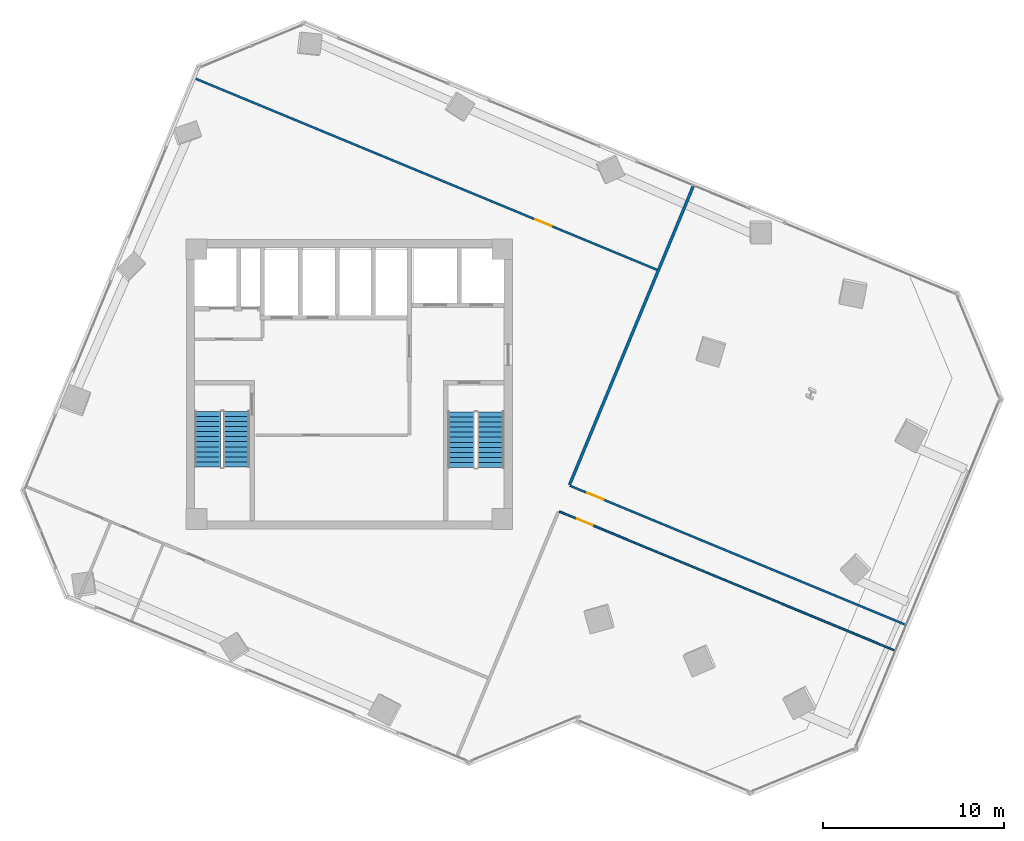
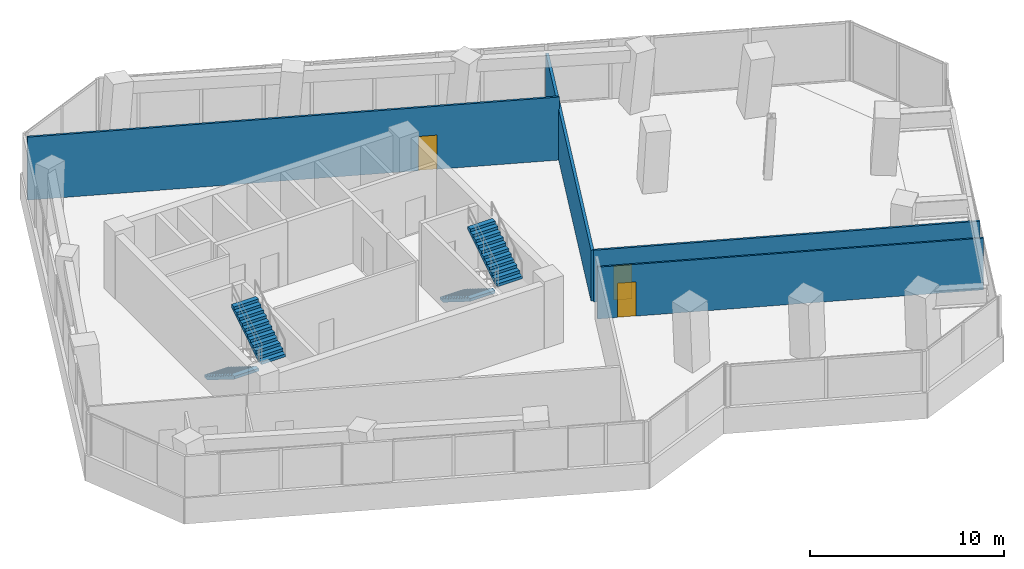
# One storey, part 19 of 23: 4 stair flights, 4 walls, 3 doors, 3 openings, 2 elements without a shape of their own.
"""IFC4 building model written with IfcOpenShell, lengths in metres."""

import ifcopenshell
import ifcopenshell.guid

model = None  # the IFC model being written
_history = None  # IfcOwnerHistory: only IFC2X3 demands one
_inside = {}  # id of a spatial element -> (the spatial element, [elements in it])
_under = {}  # id of a project, library or spatial element -> (it, [spatial elements below it])
_declared = {}  # id of a project -> (the project, [libraries it declares])
_typed = {}  # id of a type object -> (the type object, [elements of that type])
_made_of = {}  # id of a material, layer set ... -> (it, [elements and type objects made of it])


def new_model(schema):
    """Start an empty IFC model of exactly this schema.

    Asked for "IFC4X3", IfcOpenShell would pick the latest addendum, in which some entities
    have other attributes; the version numbers below select the first issue.
    IFC2X3 requires an IfcOwnerHistory on every rooted entity: one is made here for all.
    """
    global model, _history
    if schema == "IFC4X3":
        model = ifcopenshell.file(schema_version=(4, 3, 0, 0))
    else:
        model = ifcopenshell.file(schema=schema)
    _inside.clear()
    _under.clear()
    _declared.clear()
    _typed.clear()
    _made_of.clear()
    _history = None
    if model.schema == "IFC2X3":
        org = make("IfcOrganization", Name="unknown")
        user = make(
            "IfcPersonAndOrganization",
            ThePerson=make("IfcPerson", FamilyName="unknown"),
            TheOrganization=org,
        )
        app = make(
            "IfcApplication",
            ApplicationDeveloper=org,
            Version="unknown",
            ApplicationFullName="unknown",
            ApplicationIdentifier="unknown",
        )
        _history = make(
            "IfcOwnerHistory",
            OwningUser=user,
            OwningApplication=app,
            ChangeAction="ADDED",
            CreationDate=0,
        )
    return model


def make(cls, **values):
    """One entity of the class cls with the attributes given. An attribute that is None is left unset."""
    return model.create_entity(
        cls, **{name: value for name, value in values.items() if value is not None}
    )


def rooted(cls, **values):
    """An entity with a GlobalId (a new one), such as an element, a storey or a relation."""
    return make(cls, GlobalId=ifcopenshell.guid.new(), OwnerHistory=_history, **values)


def si_unit(unit_type, name, prefix=None):
    """IfcSIUnit, for example si_unit("LENGTHUNIT", "METRE", prefix="MILLI")."""
    return make("IfcSIUnit", UnitType=unit_type, Prefix=prefix, Name=name)


def assignment(units):
    """IfcUnitAssignment: the units of a project."""
    return None if units is None else make("IfcUnitAssignment", Units=units)


def point(xyz):
    """IfcCartesianPoint."""
    return None if xyz is None else make("IfcCartesianPoint", Coordinates=xyz)


def direction(xyz):
    """IfcDirection."""
    return None if xyz is None else make("IfcDirection", DirectionRatios=xyz)


def frame(location, z_axis=None, x_axis=None):
    """IfcAxis2Placement3D, a coordinate frame: its origin and axes. An axis left out is left unset."""
    return make(
        "IfcAxis2Placement3D",
        Location=point(location),
        Axis=direction(z_axis),
        RefDirection=direction(x_axis),
    )


def frame_2d(location, x_axis=None):
    """IfcAxis2Placement2D, a coordinate frame in the plane: its origin and x axis."""
    return make(
        "IfcAxis2Placement2D", Location=point(location), RefDirection=direction(x_axis)
    )


def origin():
    """The frame at (0, 0, 0) with its axes left unset."""
    return frame((0.0, 0.0, 0.0))


def place(relative_to, where):
    """IfcLocalPlacement: puts the frame where relative to a parent placement (None: the world)."""
    return make(
        "IfcLocalPlacement", PlacementRelTo=relative_to, RelativePlacement=where
    )


def context(
    kind, dimensions, precision=None, world=None, true_north=None, identifier=None
):
    """IfcGeometricRepresentationContext, for example the 3D "Model" context."""
    return make(
        "IfcGeometricRepresentationContext",
        ContextIdentifier=identifier,
        ContextType=kind,
        CoordinateSpaceDimension=dimensions,
        Precision=precision,
        WorldCoordinateSystem=world,
        TrueNorth=true_north,
    )


def subcontext(parent, identifier, kind, view, scale=None):
    """IfcGeometricRepresentationSubContext, for example "Body" below "Model"."""
    return make(
        "IfcGeometricRepresentationSubContext",
        ContextIdentifier=identifier,
        ContextType=kind,
        ParentContext=parent,
        TargetScale=scale,
        TargetView=view,
    )


def project(units=None, contexts=None):
    """IfcProject with its units and contexts."""
    return rooted(
        "IfcProject",
        Name="project",
        RepresentationContexts=contexts,
        UnitsInContext=assignment(units),
    )


def spatial(cls, under=None, at=None, **own):
    """A site, building, storey or space (cls), placed at a placement, below another one or the project."""
    s = rooted(cls, ObjectPlacement=at, **own)
    if under is not None:
        _under.setdefault(under.id(), (under, []))[1].append(s)
    return s


def polyline(points):
    """IfcPolyline through the points."""
    return make("IfcPolyline", Points=[point(p) for p in points])


def profile(cls, at=None, kind="AREA", **sizes):
    """A parametric profile (cls). Its sizes go by their IFC names, for example OverallWidth=200.0."""
    return make(cls, ProfileType=kind, Position=at, **sizes)


def rectangle(**sizes):
    """IfcRectangleProfileDef."""
    return profile("IfcRectangleProfileDef", **sizes)


def outline(outer, holes=None, kind="AREA"):
    """IfcArbitraryClosedProfileDef: a profile drawn as a closed curve; with holes, ...WithVoids."""
    if holes is None:
        return make("IfcArbitraryClosedProfileDef", ProfileType=kind, OuterCurve=outer)
    return make(
        "IfcArbitraryProfileDefWithVoids",
        ProfileType=kind,
        OuterCurve=outer,
        InnerCurves=holes,
    )


def extrude(swept, where, along, depth):
    """IfcExtrudedAreaSolid: the profile swept, set in the frame where, extruded along a direction by depth."""
    return make(
        "IfcExtrudedAreaSolid",
        SweptArea=swept,
        Position=where,
        ExtrudedDirection=direction(along),
        Depth=depth,
    )


def shape(context_of_items, identifier, shape_type, items):
    """IfcShapeRepresentation: the items that make up one representation, for example the "Body"."""
    return make(
        "IfcShapeRepresentation",
        ContextOfItems=context_of_items,
        RepresentationIdentifier=identifier,
        RepresentationType=shape_type,
        Items=items,
    )


def source(mapping_origin, context_of_items, identifier, shape_type, items):
    """IfcRepresentationMap: a shape defined once, which mapped items show again and again."""
    return make(
        "IfcRepresentationMap",
        MappingOrigin=mapping_origin,
        MappedRepresentation=shape(context_of_items, identifier, shape_type, items),
    )


def transform(
    local_origin,
    x_axis=None,
    y_axis=None,
    z_axis=None,
    scale=None,
    scale2=None,
    scale3=None,
    uniform=True,
):
    """IfcCartesianTransformationOperator3D, or its non-uniform kind. x_axis, y_axis, z_axis: its Axis1, 2, 3."""
    if uniform:
        return make(
            "IfcCartesianTransformationOperator3D",
            Axis1=direction(x_axis),
            Axis2=direction(y_axis),
            LocalOrigin=point(local_origin),
            Scale=scale,
            Axis3=direction(z_axis),
        )
    return make(
        "IfcCartesianTransformationOperator3DnonUniform",
        Axis1=direction(x_axis),
        Axis2=direction(y_axis),
        LocalOrigin=point(local_origin),
        Scale=scale,
        Axis3=direction(z_axis),
        Scale2=scale2,
        Scale3=scale3,
    )


def mapped(mapping_source, mapping_target):
    """IfcMappedItem: shows the shape of a source again, moved by a transform."""
    return make(
        "IfcMappedItem", MappingSource=mapping_source, MappingTarget=mapping_target
    )


def material(Name=None, Category=None):
    """IfcMaterial."""
    return make("IfcMaterial", Name=Name, Category=Category)


def layer(
    of_material, thickness, ventilated=None, Name=None, Category=None, Priority=None
):
    """IfcMaterialLayer: one layer of a wall or slab, of a material (None: an air gap)."""
    return make(
        "IfcMaterialLayer",
        Material=of_material,
        LayerThickness=thickness,
        IsVentilated=ventilated,
        Name=Name,
        Category=Category,
        Priority=Priority,
    )


def layer_set(layers, Name=None):
    """IfcMaterialLayerSet."""
    return make("IfcMaterialLayerSet", MaterialLayers=layers, LayerSetName=Name)


def made_of(thing, what):
    """Note that an element or type object is made of a material, layer set ...; save() writes the relation."""
    if what is not None:
        _made_of.setdefault(what.id(), (what, []))[1].append(thing)
    return thing


def type_object(cls, material=None, **own):
    """A type object (cls), such as IfcWallType, which elements share."""
    return made_of(rooted(cls, **own), material)


def element(
    cls,
    number,
    at=None,
    inside=None,
    cuts=None,
    type_object=None,
    material=None,
    context=None,
    identifier="Body",
    shape_type=None,
    held_by="IfcProductDefinitionShape",
    body=None,
    shapes=None,
    **own,
):
    """One element of the class cls, such as IfcWall. Its Tag is "e" and its number.

    at: its placement. inside: the storey or other place that contains it. cuts: it is an
    opening in that element (IfcRelVoidsElement). A single representation is given by context,
    identifier, shape_type and body (its items); several are given by shapes. held_by: the class
    of the entity that holds the representations. save() writes the other relations.
    """
    e = rooted(cls, Tag="e%d" % number, ObjectPlacement=at, **own)
    if body is not None:
        shapes = [shape(context, identifier, shape_type, body)]
    if shapes is not None:
        e.Representation = make(held_by, Representations=shapes)
    if inside is not None:
        _inside.setdefault(inside.id(), (inside, []))[1].append(e)
    if cuts is not None:
        rooted(
            "IfcRelVoidsElement", RelatingBuildingElement=cuts, RelatedOpeningElement=e
        )
    if type_object is not None:
        _typed.setdefault(type_object.id(), (type_object, []))[1].append(e)
    return made_of(e, material)


def fill(opening, filler):
    """IfcRelFillsElement: the door or window that sits in an opening."""
    return rooted(
        "IfcRelFillsElement",
        RelatingOpeningElement=opening,
        RelatedBuildingElement=filler,
    )


def aggregate(whole, parts):
    """IfcRelAggregates: a whole, such as a stair, and the parts it consists of."""
    return rooted("IfcRelAggregates", RelatingObject=whole, RelatedObjects=parts)


def save(model, path):
    """Write the relations noted so far, then the file.

    IfcRelAggregates (storeys below a building ...), IfcRelContainedInSpatialStructure (elements
    in a storey), IfcRelDefinesByType, IfcRelAssociatesMaterial and IfcRelDeclares: one each for
    every whole, place, type object, material and project.
    """
    for whole, parts in _under.values():
        aggregate(whole, parts)
    for where, things in _inside.values():
        rooted(
            "IfcRelContainedInSpatialStructure",
            RelatedElements=things,
            RelatingStructure=where,
        )
    for kind, things in _typed.values():
        rooted("IfcRelDefinesByType", RelatedObjects=things, RelatingType=kind)
    for what, things in _made_of.values():
        rooted("IfcRelAssociatesMaterial", RelatedObjects=things, RelatingMaterial=what)
    for by, libraries in _declared.values():
        rooted("IfcRelDeclares", RelatingContext=by, RelatedDefinitions=libraries)
    model.write(path)


model = new_model("IFC4")

# Units and contexts
model_context = context("Model", 3, precision=1e-05, world=origin(), true_north=direction((0.0, 1.0)))
body_context = subcontext(model_context, "Body", "Model", "MODEL_VIEW")
ifc_project = project(units=[si_unit("LENGTHUNIT", "METRE"), si_unit("AREAUNIT", "SQUARE_METRE"), si_unit("VOLUMEUNIT", "CUBIC_METRE"), si_unit("PLANEANGLEUNIT", "RADIAN"), si_unit("MASSUNIT", "GRAM", prefix="KILO")], contexts=[model_context])

# Site, building, storey
site_placement = place(None, origin())
site = spatial("IfcSite", under=ifc_project, at=site_placement, CompositionType="ELEMENT")
building_placement = place(site_placement, origin())
building = spatial("IfcBuilding", under=site, at=building_placement, Name="Torre Montelarca", CompositionType="ELEMENT")
storey_placement = place(building_placement, frame((0.0, 0.0, 145.60009765625)))
storey = spatial("IfcBuildingStorey", under=building, at=storey_placement, Name="L32", CompositionType="ELEMENT", Elevation=145.60009765625)

# Wall
ifc_material_1 = material(Name="Gypsum plasterboard on steel stud", Category="steel")
ifc_layer_1 = layer(ifc_material_1, 0.159912109375, Name="Gypsum plasterboard on steel stud", Category="steel")
ifc_layer_set_1 = layer_set([ifc_layer_1], Name="Gypsum plasterboard on steel stud")
wall_type_1 = type_object("IfcWallType", Name="PW-FIRE-160", PredefinedType="PARTITIONING", material=ifc_layer_set_1)
wall_1_placement = place(storey_placement, frame((30.162353515625, 26.44189453125, 0.0), z_axis=(0.0, 0.0, 1.0), x_axis=(0.382688600046, 0.923877391971, 0.0)))
element("IfcWall", 1, at=wall_1_placement, inside=storey, type_object=wall_type_1, Name="L32 Interior Partition W-L32-ECN", PredefinedType="PARTITIONING", context=body_context, shape_type="SweptSolid", body=[
    extrude(rectangle(XDim=17.83984375, YDim=0.159912109375, at=frame_2d((8.919921875, 0.0))), origin(), (0.0, 0.0, 1.0), 3.19482421875),
])

# Wall, opening, door
ifc_material_2 = material(Name="Acoustic laminated glass partition", Category="glass")
ifc_layer_2 = layer(ifc_material_2, 0.10009765625, Name="Acoustic laminated glass partition", Category="glass")
ifc_layer_set_2 = layer_set([ifc_layer_2], Name="Acoustic laminated glass partition")
wall_type_2 = type_object("IfcWallType", Name="PW-GLAZ-100", PredefinedType="PARTITIONING", material=ifc_layer_set_2)
wall_2_placement = place(storey_placement, frame((29.5947265625, 24.966796875, 0.0), z_axis=(0.0, 0.0, 1.0), x_axis=(0.923882225843, -0.382676930022, 0.0)))
wall_2 = element("IfcWall", 2, at=wall_2_placement, inside=storey, type_object=wall_type_2, Name="L32 Interior Partition W-L32-SE-N", PredefinedType="PARTITIONING", context=body_context, shape_type="SweptSolid", body=[
    extrude(rectangle(XDim=20.0498046875, YDim=0.10009765625, at=frame_2d((10.02490234375, 0.0))), origin(), (0.0, 0.0, 1.0), 3.25244140625),
])
opening_1_placement = place(wall_2_placement, frame((1.050048828125, 0.0, 0.0)))
opening_1 = element("IfcOpeningElement", 3, at=opening_1_placement, cuts=wall_2, Name="Opening ID-095", PredefinedType="OPENING", context=body_context, shape_type="SweptSolid", body=[
    extrude(rectangle(XDim=0.949951171875, YDim=2.14990234375, at=frame_2d((0.47509765625, 1.074951171875))), frame((0.0, 0.06005859375, 0.0), z_axis=(0.0, -1.0, 0.0), x_axis=(1.0, 0.0, 0.0)), (0.0, 0.0, 1.0), 0.1201171875),
])
ifc_material_3 = material(Name="Hardwood acoustic timber veneer", Category="wood")
door_type = type_object("IfcDoorType", Name="DR-INT-095", OperationType="NOTDEFINED", PredefinedType="DOOR", material=ifc_material_3)
shared_shape = source(origin(), body_context, "Body", "SweptSolid", [
    extrude(rectangle(XDim=0.949951171875, YDim=2.14990234375, at=frame_2d((0.47509765625, 1.074951171875))), frame((0.0, 0.02490234375, 0.0), z_axis=(0.0, -1.0, 0.0), x_axis=(1.0, 0.0, 0.0)), (0.0, 0.0, 1.0), 0.050048828125),
])
door_1_placement = place(opening_1_placement, origin())
door_1 = element("IfcDoor", 4, at=door_1_placement, inside=storey, type_object=door_type, Name="L32 Interior Door 08", OperationType="SINGLE_SWING_LEFT", OverallHeight=2.14990234375, OverallWidth=0.949951171875, PredefinedType="DOOR", context=body_context, shape_type="MappedRepresentation", body=[
    mapped(shared_shape, transform((0.0, 0.0, 0.0), scale=1.0)),
])
fill(opening_1, door_1)

ifc_layer_3 = layer(ifc_material_1, 0.114990234375, Name="Gypsum plasterboard on steel stud", Category="steel")
ifc_layer_set_3 = layer_set([ifc_layer_3], Name="Gypsum plasterboard on steel stud")
wall_type_3 = type_object("IfcWallType", Name="PW-PART-115", PredefinedType="PARTITIONING", material=ifc_layer_set_3)
wall_3_placement = place(storey_placement, frame((9.523193359375, 48.8671875, 0.0), z_axis=(0.0, 0.0, 1.0), x_axis=(0.923882225555, -0.382676930718, 0.0)))
wall_3 = element("IfcWall", 5, at=wall_3_placement, inside=storey, type_object=wall_type_3, Name="L32 Interior Partition W-L32-NBOT", PredefinedType="PARTITIONING", context=body_context, shape_type="SweptSolid", body=[
    extrude(rectangle(XDim=27.60986328125, YDim=0.114990234375, at=frame_2d((13.804931640625, 0.0))), origin(), (0.0, 0.0, 1.0), 3.9599609375),
])
opening_2_placement = place(wall_3_placement, frame((20.31005859375, 0.0, 0.0)))
opening_2 = element("IfcOpeningElement", 6, at=opening_2_placement, cuts=wall_3, Name="Opening ID-095", PredefinedType="OPENING", context=body_context, shape_type="SweptSolid", body=[
    extrude(rectangle(XDim=0.949951171875, YDim=2.14990234375, at=frame_2d((0.47509765625, 1.074951171875))), frame((0.0, 0.0673828125, 0.0), z_axis=(0.0, -1.0, 0.0), x_axis=(1.0, 0.0, 0.0)), (0.0, 0.0, 1.0), 0.135009765625),
])
door_2_placement = place(opening_2_placement, origin())
door_2 = element("IfcDoor", 7, at=door_2_placement, inside=storey, type_object=door_type, Name="L32 Interior Door 06", OperationType="SINGLE_SWING_LEFT", OverallHeight=2.14990234375, OverallWidth=0.949951171875, PredefinedType="DOOR", context=body_context, shape_type="MappedRepresentation", body=[
    mapped(shared_shape, transform((0.0, 0.0, 0.0), scale=1.0)),
])
fill(opening_2, door_2)

wall_4_placement = place(storey_placement, frame((30.18408203125, 26.3896484375, 0.0), z_axis=(0.0, 0.0, 1.0), x_axis=(0.923877920754, -0.382687323468, 0.0)))
wall_4 = element("IfcWall", 8, at=wall_4_placement, inside=storey, type_object=wall_type_3, Name="L32 Interior Partition W-L32-NE-S", PredefinedType="PARTITIONING", context=body_context, shape_type="SweptSolid", body=[
    extrude(rectangle(XDim=20.0498046875, YDim=0.114990234375, at=frame_2d((10.02490234375, 0.0))), origin(), (0.0, 0.0, 1.0), 3.25244140625),
])
opening_3_placement = place(wall_4_placement, frame((1.050048828125, 0.0, 0.0)))
opening_3 = element("IfcOpeningElement", 9, at=opening_3_placement, cuts=wall_4, Name="Opening ID-095", PredefinedType="OPENING", context=body_context, shape_type="SweptSolid", body=[
    extrude(rectangle(XDim=0.949951171875, YDim=2.14990234375, at=frame_2d((0.47509765625, 1.074951171875))), frame((0.0, 0.0673828125, 0.0), z_axis=(0.0, -1.0, 0.0), x_axis=(1.0, 0.0, 0.0)), (0.0, 0.0, 1.0), 0.135009765625),
])
door_3_placement = place(opening_3_placement, origin())
door_3 = element("IfcDoor", 10, at=door_3_placement, inside=storey, type_object=door_type, Name="L32 Interior Door 07", OperationType="SINGLE_SWING_LEFT", OverallHeight=2.14990234375, OverallWidth=0.949951171875, PredefinedType="DOOR", context=body_context, shape_type="MappedRepresentation", body=[
    mapped(shared_shape, transform((0.0, 0.0, 0.0), scale=1.0)),
])
fill(opening_3, door_3)

# Stair, stair flights
ifc_material_4 = material(Name="Concrete C40/50", Category="concrete")
stair_type_1 = type_object("IfcStairType", Name="ST-CORE-ST1", PredefinedType="HALF_TURN_STAIR", material=ifc_material_4)
stair_1_placement = place(storey_placement, origin())
stair_1 = element("IfcStair", 11, at=stair_1_placement, inside=storey, type_object=stair_type_1, Name="L32 Protected Exit Stair ST1", PredefinedType="HALF_TURN_STAIR")
stair_flight_type_1 = type_object("IfcStairFlightType", Name="SFL-CORE-ST1", PredefinedType="STRAIGHT", material=ifc_material_4)
stair_flight_1_placement = place(storey_placement, frame((10.175048828125, 30.5, 0.0), z_axis=(0.0, 0.0, 1.0), x_axis=(0.0, -1.0, 0.0)))
stair_flight_1 = element("IfcStairFlight", 12, at=stair_flight_1_placement, type_object=stair_flight_type_1, Name="ST1 flight 1", NumberOfRisers=12, NumberOfTreads=11, PredefinedType="STRAIGHT", RiserHeight=0.175, TreadLength=0.28, context=body_context, shape_type="SweptSolid", body=[
    extrude(outline(polyline([(0.0, 0.0), (0.0, 0.175048828125), (0.280029296875, 0.175048828125), (0.280029296875, 0.35009765625), (0.56005859375, 0.35009765625), (0.56005859375, 0.52490234375), (0.840087890625, 0.52490234375), (0.840087890625, 0.699951171875), (1.1201171875, 0.699951171875), (1.1201171875, 0.875), (1.39990234375, 0.875), (1.39990234375, 1.050048828125), (1.679931640625, 1.050048828125), (1.679931640625, 1.22509765625), (1.9599609375, 1.22509765625), (1.9599609375, 1.39990234375), (2.239990234375, 1.39990234375), (2.239990234375, 1.574951171875), (2.52001953125, 1.574951171875), (2.52001953125, 1.75), (2.800048828125, 1.75), (2.800048828125, 1.925048828125), (3.080078125, 1.925048828125), (3.080078125, 2.10009765625), (3.080078125, 1.748291015625), (0.28271484375, 0.0), (0.0, 0.0)])), frame((0.0, 0.72509765625, 0.0), z_axis=(0.0, -1.0, 0.0), x_axis=(1.0, 0.0, 0.0)), (0.0, 0.0, 1.0), 1.449951171875),
])
stair_flight_2_placement = place(storey_placement, frame((11.77490234375, 27.419921875, 2.099853515625), z_axis=(0.0, 0.0, 1.0), x_axis=(0.0, 1.0, 0.0)))
stair_flight_2 = element("IfcStairFlight", 13, at=stair_flight_2_placement, type_object=stair_flight_type_1, Name="ST1 flight 2", NumberOfRisers=12, NumberOfTreads=11, PredefinedType="STRAIGHT", RiserHeight=0.175, TreadLength=0.28, context=body_context, shape_type="SweptSolid", body=[
    extrude(outline(polyline([(0.0, 0.0), (0.0, 0.175048828125), (0.280029296875, 0.175048828125), (0.280029296875, 0.35009765625), (0.56005859375, 0.35009765625), (0.56005859375, 0.52490234375), (0.840087890625, 0.52490234375), (0.840087890625, 0.699951171875), (1.1201171875, 0.699951171875), (1.1201171875, 0.875), (1.39990234375, 0.875), (1.39990234375, 1.050048828125), (1.679931640625, 1.050048828125), (1.679931640625, 1.22509765625), (1.9599609375, 1.22509765625), (1.9599609375, 1.39990234375), (2.239990234375, 1.39990234375), (2.239990234375, 1.574951171875), (2.52001953125, 1.574951171875), (2.52001953125, 1.75), (2.800048828125, 1.75), (2.800048828125, 1.925048828125), (3.080078125, 1.925048828125), (3.080078125, 2.10009765625), (3.080078125, 1.748291015625), (0.28271484375, 0.0), (0.0, 0.0)])), frame((0.0, 0.72509765625, 0.0), z_axis=(0.0, -1.0, 0.0), x_axis=(1.0, 0.0, 0.0)), (0.0, 0.0, 1.0), 1.449951171875),
])
aggregate(stair_1, [stair_flight_1, stair_flight_2])

stair_type_2 = type_object("IfcStairType", Name="ST-CORE-ST2", PredefinedType="HALF_TURN_STAIR", material=ifc_material_4)
stair_2_placement = place(storey_placement, origin())
stair_2 = element("IfcStair", 14, at=stair_2_placement, inside=storey, type_object=stair_type_2, Name="L32 Protected Exit Stair ST2", PredefinedType="HALF_TURN_STAIR")
stair_flight_type_2 = type_object("IfcStairFlightType", Name="SFL-CORE-ST2", PredefinedType="STRAIGHT", material=ifc_material_4)
stair_flight_3_placement = place(storey_placement, frame((24.179931640625, 30.469970703125, 0.0), z_axis=(0.0, 0.0, 1.0), x_axis=(0.0, -1.0, 0.0)))
stair_flight_3 = element("IfcStairFlight", 15, at=stair_flight_3_placement, type_object=stair_flight_type_2, Name="ST2 flight 1", NumberOfRisers=12, NumberOfTreads=11, PredefinedType="STRAIGHT", RiserHeight=0.175, TreadLength=0.28, context=body_context, shape_type="SweptSolid", body=[
    extrude(outline(polyline([(0.0, 0.0), (0.0, 0.175048828125), (0.280029296875, 0.175048828125), (0.280029296875, 0.35009765625), (0.56005859375, 0.35009765625), (0.56005859375, 0.52490234375), (0.840087890625, 0.52490234375), (0.840087890625, 0.699951171875), (1.1201171875, 0.699951171875), (1.1201171875, 0.875), (1.39990234375, 0.875), (1.39990234375, 1.050048828125), (1.679931640625, 1.050048828125), (1.679931640625, 1.22509765625), (1.9599609375, 1.22509765625), (1.9599609375, 1.39990234375), (2.239990234375, 1.39990234375), (2.239990234375, 1.574951171875), (2.52001953125, 1.574951171875), (2.52001953125, 1.75), (2.800048828125, 1.75), (2.800048828125, 1.925048828125), (3.080078125, 1.925048828125), (3.080078125, 2.10009765625), (3.080078125, 1.748291015625), (0.28271484375, 0.0), (0.0, 0.0)])), frame((0.0, 0.739990234375, 0.0), z_axis=(0.0, -1.0, 0.0), x_axis=(1.0, 0.0, 0.0)), (0.0, 0.0, 1.0), 1.47998046875),
])
stair_flight_4_placement = place(storey_placement, frame((25.81005859375, 27.389892578125, 2.099853515625), z_axis=(0.0, 0.0, 1.0), x_axis=(0.0, 1.0, 0.0)))
stair_flight_4 = element("IfcStairFlight", 16, at=stair_flight_4_placement, type_object=stair_flight_type_2, Name="ST2 flight 2", NumberOfRisers=12, NumberOfTreads=11, PredefinedType="STRAIGHT", RiserHeight=0.175, TreadLength=0.28, context=body_context, shape_type="SweptSolid", body=[
    extrude(outline(polyline([(0.0, 0.0), (0.0, 0.175048828125), (0.280029296875, 0.175048828125), (0.280029296875, 0.35009765625), (0.56005859375, 0.35009765625), (0.56005859375, 0.52490234375), (0.840087890625, 0.52490234375), (0.840087890625, 0.699951171875), (1.1201171875, 0.699951171875), (1.1201171875, 0.875), (1.39990234375, 0.875), (1.39990234375, 1.050048828125), (1.679931640625, 1.050048828125), (1.679931640625, 1.22509765625), (1.9599609375, 1.22509765625), (1.9599609375, 1.39990234375), (2.239990234375, 1.39990234375), (2.239990234375, 1.574951171875), (2.52001953125, 1.574951171875), (2.52001953125, 1.75), (2.800048828125, 1.75), (2.800048828125, 1.925048828125), (3.080078125, 1.925048828125), (3.080078125, 2.10009765625), (3.080078125, 1.748291015625), (0.28271484375, 0.0), (0.0, 0.0)])), frame((0.0, 0.739990234375, 0.0), z_axis=(0.0, -1.0, 0.0), x_axis=(1.0, 0.0, 0.0)), (0.0, 0.0, 1.0), 1.47998046875),
])
aggregate(stair_2, [stair_flight_3, stair_flight_4])

save(model, "model.ifc")
